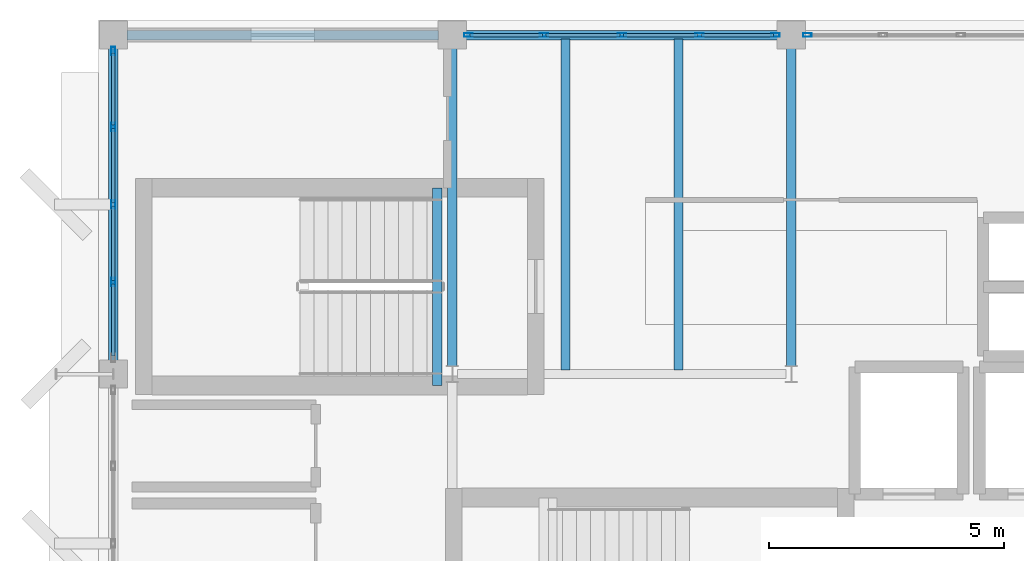
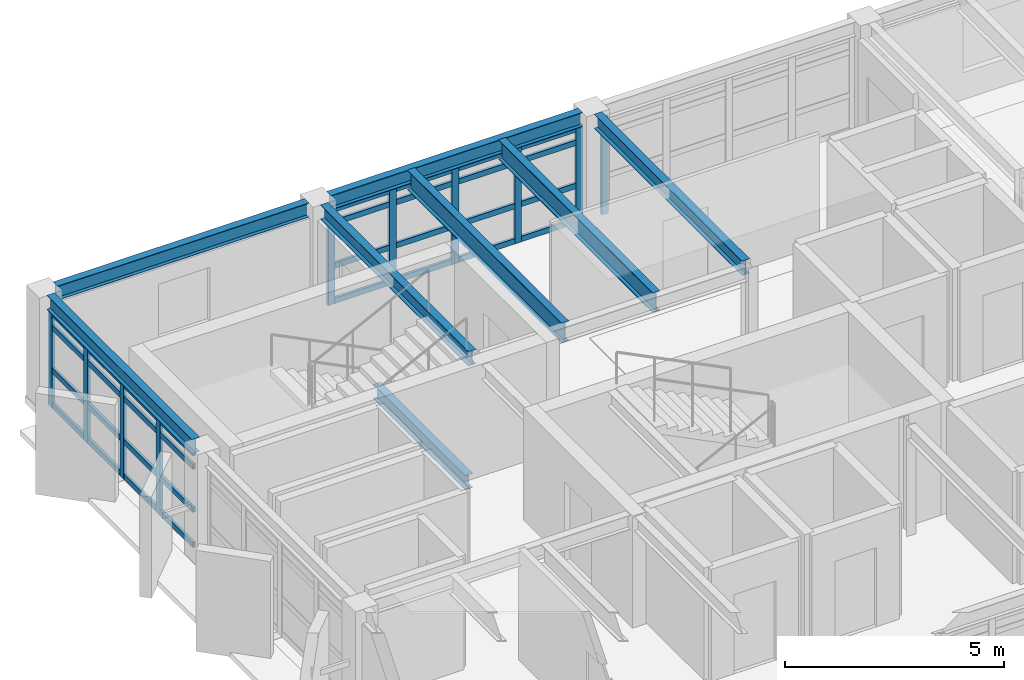
# One storey, part 7 of 15: 42 members, 8 beams, 3 elements without a shape of their own.
"""IFC4 building model written with IfcOpenShell, lengths in metres."""

from ifc_helpers import new_model, si_unit, direction, frame, origin, origin_2d, place, context, subcontext, project, spatial, hollow_rectangle, i_section, extrude, material, layer, layer_set, material_profile, profile_set, type_object, element, aggregate, save


model = new_model("IFC4")

# Units and contexts
model_context = context("Model", 3, precision=1e-05, world=origin(), true_north=direction((0.0, 1.0)))
body_context = subcontext(model_context, "Body", "Model", "MODEL_VIEW")
ifc_project = project(units=[si_unit("LENGTHUNIT", "METRE"), si_unit("AREAUNIT", "SQUARE_METRE"), si_unit("VOLUMEUNIT", "CUBIC_METRE"), si_unit("PLANEANGLEUNIT", "RADIAN"), si_unit("MASSUNIT", "GRAM", prefix="KILO")], contexts=[model_context])

# Site, building, storey
site_placement = place(None, origin())
site = spatial("IfcSite", under=ifc_project, at=site_placement, CompositionType="ELEMENT")
building_placement = place(site_placement, origin())
building = spatial("IfcBuilding", under=site, at=building_placement, Name="Kandorven Conservatory and Botanical Research Centre", CompositionType="ELEMENT")
storey_placement = place(building_placement, frame((0.0, 0.0, 56.10009765625)))
storey = spatial("IfcBuildingStorey", under=building, at=storey_placement, Name="L14", CompositionType="ELEMENT", Elevation=56.10009765625)

# Beams
ifc_material_1 = material(Name="Steel S355 (IS 2062 E350)", Category="steel")
ifc_material_profile_1 = material_profile(ifc_material_1, i_section(OverallWidth=0.199951171875, OverallDepth=0.39990234375, WebThickness=0.008544921875, FlangeThickness=0.012939453125, at=origin_2d()))
ifc_profile_set_1 = profile_set([ifc_material_profile_1], Name="Steel S355 (IS 2062 E350)")
beam_type_1 = type_object("IfcBeamType", Name="Beam_FG-03", PredefinedType="USERDEFINED", material=ifc_profile_set_1)
beam_1_placement = place(storey_placement, frame((6.2900390625, 27.60009765625, 2.887939453125), z_axis=(1.0, 0.0, 0.0), x_axis=(0.0, 1.0, 0.0)))
element("IfcBeam", 1, at=beam_1_placement, inside=storey, type_object=beam_type_1, Name="Primary girder FG-03 TWR L14", ObjectType="GIRDER", PredefinedType="USERDEFINED", context=body_context, shape_type="SweptSolid", body=[
    extrude(i_section(OverallWidth=0.199951171875, OverallDepth=0.39990234375, WebThickness=0.008544921875, FlangeThickness=0.012939453125, at=origin_2d()), origin(), (0.0, 0.0, 1.0), 6.619873046875),
])
for number, where, z_axis, x_axis, name in (
    (2, (13.489990234375, 27.60009765625, 2.887939453125), (1.0, 0.0, 0.0), (0.0, 1.0, 0.0), "Primary girder FG-03 TWR L14"),
    (3, (6.0, 20.68994140625, 2.887939453125), (0.0, 1.0, 0.0), (-1.0, 0.0, 0.0), "Primary girder FG-03 TWR L14"),
):
    element("IfcBeam", number, at=place(storey_placement, frame(where, z_axis=z_axis, x_axis=x_axis)), inside=storey, type_object=beam_type_1, Name=name, ObjectType="GIRDER", PredefinedType="USERDEFINED", context=body_context, shape_type="SweptSolid", body=[
        extrude(i_section(OverallWidth=0.199951171875, OverallDepth=0.39990234375, WebThickness=0.008544921875, FlangeThickness=0.012939453125, at=origin_2d()), origin(), (0.0, 0.0, 1.0), 6.6201171875),
    ])
for number, where, z_axis, x_axis, name in (
    (4, (13.199951171875, 20.56494140625, 2.887939453125), (0.0, 1.0, 0.0), (-1.0, 0.0, 0.0), "Primary girder FG-03 TWR L14"),
    (5, (20.39990234375, 20.56494140625, 2.887939453125), (0.0, 1.0, 0.0), (-1.0, 0.0, 0.0), "Primary girder FG-03 TWR L14"),
):
    element("IfcBeam", number, at=place(storey_placement, frame(where, z_axis=z_axis, x_axis=x_axis)), inside=storey, type_object=beam_type_1, Name=name, ObjectType="GIRDER", PredefinedType="USERDEFINED", context=body_context, shape_type="SweptSolid", body=[
        extrude(i_section(OverallWidth=0.199951171875, OverallDepth=0.39990234375, WebThickness=0.008544921875, FlangeThickness=0.012939453125, at=origin_2d()), origin(), (0.0, 0.0, 1.0), 6.7451171875),
    ])
beam_2_placement = place(storey_placement, frame((12.8798828125, 24.35009765625, -0.2001953125), z_axis=(0.0, -1.0, 0.0), x_axis=(1.0, 0.0, 0.0)))
element("IfcBeam", 6, at=beam_2_placement, inside=storey, type_object=beam_type_1, Name="Stair well bottom trimmer girder FG-03 ST-T2 L14", ObjectType="GIRDER", PredefinedType="USERDEFINED", context=body_context, shape_type="SweptSolid", body=[
    extrude(i_section(OverallWidth=0.199951171875, OverallDepth=0.39990234375, WebThickness=0.008544921875, FlangeThickness=0.012939453125, at=origin_2d()), origin(), (0.0, 0.0, 1.0), 4.190185546875),
])
ifc_material_2 = material(Name="Steel S355 (IS 2062 E350)", Category="steel")
ifc_material_profile_2 = material_profile(ifc_material_2, i_section(OverallWidth=0.18994140625, OverallDepth=0.550048828125, WebThickness=0.01123046875, FlangeThickness=0.019287109375, at=origin_2d()))
ifc_profile_set_2 = profile_set([ifc_material_profile_2], Name="Steel S355 (IS 2062 E350)")
beam_type_2 = type_object("IfcBeamType", Name="Beam_SB-02", PredefinedType="BEAM", material=ifc_profile_set_2)
for number, where, z_axis, x_axis, name in (
    (7, (15.60009765625, 20.485107421875, 2.81298828125), (0.0, 1.0, 0.0), (-1.0, 0.0, 0.0), "Composite secondary beam SB-02 TWR L14"),
    (8, (18.0, 20.485107421875, 2.81298828125), (0.0, 1.0, 0.0), (-1.0, 0.0, 0.0), "Composite secondary beam SB-02 TWR L14"),
):
    element("IfcBeam", number, at=place(storey_placement, frame(where, z_axis=z_axis, x_axis=x_axis)), inside=storey, type_object=beam_type_2, Name=name, PredefinedType="BEAM", context=body_context, shape_type="SweptSolid", body=[
        extrude(i_section(OverallWidth=0.18994140625, OverallDepth=0.550048828125, WebThickness=0.01123046875, FlangeThickness=0.019287109375, at=origin_2d()), origin(), (0.0, 0.0, 1.0), 7.02978515625),
    ])

# Curtain wall, members
ifc_material_3 = material(Name="Bronze anodised thermally broken aluminium", Category="aluminium")
ifc_layer = layer(ifc_material_3, 0.179931640625)
ifc_layer_set = layer_set([ifc_layer], Name="Bronze anodised thermally broken aluminium")
curtain_wall_type = type_object("IfcCurtainWallType", Name="CW_Unitised", PredefinedType="USERDEFINED", material=ifc_layer_set)
curtain_wall_1_placement = place(storey_placement, origin())
curtain_wall_1 = element("IfcCurtainWall", 9, at=curtain_wall_1_placement, inside=storey, type_object=curtain_wall_type, Name="Tower laboratory curtain wall CW-TWR-N-L14-2", ObjectType="UNITISED GLAZING", PredefinedType="USERDEFINED")
ifc_material_4 = material(Name="Bronze anodised thermally broken aluminium", Category="aluminium")
ifc_material_profile_3 = material_profile(ifc_material_4, hollow_rectangle(XDim=0.080078125, YDim=0.179931640625, WallThickness=0.006103515625, at=origin_2d()))
ifc_profile_set_3 = profile_set([ifc_material_profile_3], Name="Bronze anodised thermally broken aluminium")
member_type_1 = type_object("IfcMemberType", Name="CW_Mullion", PredefinedType="MULLION", material=ifc_profile_set_3)
member_1_placement = place(storey_placement, frame((13.5400390625, 27.60009765625, 0.0), z_axis=(0.0, 0.0, 1.0), x_axis=(0.0, 1.0, 0.0)))
member_1 = element("IfcMember", 10, at=member_1_placement, type_object=member_type_1, Name="CW-01 mullion 1", PredefinedType="MULLION", context=body_context, shape_type="SweptSolid", body=[
    extrude(hollow_rectangle(XDim=0.080078125, YDim=0.179931640625, WallThickness=0.006103515625, at=origin_2d()), origin(), (0.0, 0.0, 1.0), 2.69482421875),
])
member_2_placement = place(storey_placement, frame((15.14990234375, 27.60009765625, 0.0), z_axis=(0.0, 0.0, 1.0), x_axis=(0.0, 1.0, 0.0)))
member_2 = element("IfcMember", 11, at=member_2_placement, type_object=member_type_1, Name="CW-01 mullion 2", PredefinedType="MULLION", context=body_context, shape_type="SweptSolid", body=[
    extrude(hollow_rectangle(XDim=0.080078125, YDim=0.179931640625, WallThickness=0.006103515625, at=origin_2d()), origin(), (0.0, 0.0, 1.0), 2.69482421875),
])
member_3_placement = place(storey_placement, frame((16.800048828125, 27.60009765625, 0.0), z_axis=(0.0, 0.0, 1.0), x_axis=(0.0, 1.0, 0.0)))
member_3 = element("IfcMember", 12, at=member_3_placement, type_object=member_type_1, Name="CW-01 mullion 3", PredefinedType="MULLION", context=body_context, shape_type="SweptSolid", body=[
    extrude(hollow_rectangle(XDim=0.080078125, YDim=0.179931640625, WallThickness=0.006103515625, at=origin_2d()), origin(), (0.0, 0.0, 1.0), 2.69482421875),
])
member_4_placement = place(storey_placement, frame((18.449951171875, 27.60009765625, 0.0), z_axis=(0.0, 0.0, 1.0), x_axis=(0.0, 1.0, 0.0)))
member_4 = element("IfcMember", 13, at=member_4_placement, type_object=member_type_1, Name="CW-01 mullion 4", PredefinedType="MULLION", context=body_context, shape_type="SweptSolid", body=[
    extrude(hollow_rectangle(XDim=0.080078125, YDim=0.179931640625, WallThickness=0.006103515625, at=origin_2d()), origin(), (0.0, 0.0, 1.0), 2.69482421875),
])
member_5_placement = place(storey_placement, frame((20.06005859375, 27.60009765625, 0.0), z_axis=(0.0, 0.0, 1.0), x_axis=(0.0, 1.0, 0.0)))
member_5 = element("IfcMember", 14, at=member_5_placement, type_object=member_type_1, Name="CW-01 mullion 5", PredefinedType="MULLION", context=body_context, shape_type="SweptSolid", body=[
    extrude(hollow_rectangle(XDim=0.080078125, YDim=0.179931640625, WallThickness=0.006103515625, at=origin_2d()), origin(), (0.0, 0.0, 1.0), 2.69482421875),
])

# Curtain wall, member
curtain_wall_2_placement = place(storey_placement, origin())
curtain_wall_2 = element("IfcCurtainWall", 15, at=curtain_wall_2_placement, inside=storey, type_object=curtain_wall_type, Name="Tower laboratory curtain wall CW-TWR-N-L14-3", ObjectType="UNITISED GLAZING", PredefinedType="USERDEFINED")
member_6_placement = place(storey_placement, frame((20.739990234375, 27.60009765625, 0.0), z_axis=(0.0, 0.0, 1.0), x_axis=(0.0, 1.0, 0.0)))
member_6 = element("IfcMember", 16, at=member_6_placement, type_object=member_type_1, Name="CW-01 mullion 1", PredefinedType="MULLION", context=body_context, shape_type="SweptSolid", body=[
    extrude(hollow_rectangle(XDim=0.080078125, YDim=0.179931640625, WallThickness=0.006103515625, at=origin_2d()), origin(), (0.0, 0.0, 1.0), 2.69482421875),
])
aggregate(curtain_wall_2, [member_6])

# Curtain wall, members
curtain_wall_3_placement = place(storey_placement, origin())
curtain_wall_3 = element("IfcCurtainWall", 17, at=curtain_wall_3_placement, inside=storey, type_object=curtain_wall_type, Name="Tower laboratory curtain wall CW-TWR-W-L14-3", ObjectType="UNITISED GLAZING", PredefinedType="USERDEFINED")
member_7_placement = place(storey_placement, frame((6.0, 22.35009765625, 0.0), z_axis=(0.0, 0.0, 1.0), x_axis=(-1.0, 0.0, 0.0)))
member_7 = element("IfcMember", 18, at=member_7_placement, type_object=member_type_1, Name="CW-01 mullion 2", PredefinedType="MULLION", context=body_context, shape_type="SweptSolid", body=[
    extrude(hollow_rectangle(XDim=0.080078125, YDim=0.179931640625, WallThickness=0.006103515625, at=origin_2d()), origin(), (0.0, 0.0, 1.0), 2.69482421875),
])
member_8_placement = place(storey_placement, frame((6.0, 24.0, 0.0), z_axis=(0.0, 0.0, 1.0), x_axis=(-1.0, 0.0, 0.0)))
member_8 = element("IfcMember", 19, at=member_8_placement, type_object=member_type_1, Name="CW-01 mullion 3", PredefinedType="MULLION", context=body_context, shape_type="SweptSolid", body=[
    extrude(hollow_rectangle(XDim=0.080078125, YDim=0.179931640625, WallThickness=0.006103515625, at=origin_2d()), origin(), (0.0, 0.0, 1.0), 2.69482421875),
])
member_9_placement = place(storey_placement, frame((6.0, 25.64990234375, 0.0), z_axis=(0.0, 0.0, 1.0), x_axis=(-1.0, 0.0, 0.0)))
member_9 = element("IfcMember", 20, at=member_9_placement, type_object=member_type_1, Name="CW-01 mullion 4", PredefinedType="MULLION", context=body_context, shape_type="SweptSolid", body=[
    extrude(hollow_rectangle(XDim=0.080078125, YDim=0.179931640625, WallThickness=0.006103515625, at=origin_2d()), origin(), (0.0, 0.0, 1.0), 2.69482421875),
])
member_10_placement = place(storey_placement, frame((6.0, 27.260009765625, 0.0), z_axis=(0.0, 0.0, 1.0), x_axis=(-1.0, 0.0, 0.0)))
member_10 = element("IfcMember", 21, at=member_10_placement, type_object=member_type_1, Name="CW-01 mullion 5", PredefinedType="MULLION", context=body_context, shape_type="SweptSolid", body=[
    extrude(hollow_rectangle(XDim=0.080078125, YDim=0.179931640625, WallThickness=0.006103515625, at=origin_2d()), origin(), (0.0, 0.0, 1.0), 2.69482421875),
])

# Member
ifc_material_5 = material(Name="Bronze anodised thermally broken aluminium", Category="aluminium")
ifc_material_profile_4 = material_profile(ifc_material_5, hollow_rectangle(XDim=0.074951171875, YDim=0.14990234375, WallThickness=0.006103515625, at=origin_2d()))
ifc_profile_set_4 = profile_set([ifc_material_profile_4], Name="Bronze anodised thermally broken aluminium")
member_type_2 = type_object("IfcMemberType", Name="CW_Transom", PredefinedType="USERDEFINED", material=ifc_profile_set_4)
member_11_placement = place(storey_placement, frame((13.580078125, 27.60009765625, 0.074951171875), z_axis=(1.0, 0.0, 0.0), x_axis=(0.0, 1.0, 0.0)))
member_11 = element("IfcMember", 22, at=member_11_placement, type_object=member_type_2, Name="CW-01 transom 1.1", ObjectType="TRANSOM", PredefinedType="USERDEFINED", context=body_context, shape_type="SweptSolid", body=[
    extrude(hollow_rectangle(XDim=0.074951171875, YDim=0.14990234375, WallThickness=0.006103515625, at=origin_2d()), origin(), (0.0, 0.0, 1.0), 1.530029296875),
])

member_12_placement = place(storey_placement, frame((13.580078125, 27.60009765625, 1.0498046875), z_axis=(1.0, 0.0, 0.0), x_axis=(0.0, 1.0, 0.0)))
member_12 = element("IfcMember", 23, at=member_12_placement, type_object=member_type_2, Name="CW-01 transom 1.2", ObjectType="TRANSOM", PredefinedType="USERDEFINED", context=body_context, shape_type="SweptSolid", body=[
    extrude(hollow_rectangle(XDim=0.074951171875, YDim=0.14990234375, WallThickness=0.006103515625, at=origin_2d()), origin(), (0.0, 0.0, 1.0), 1.530029296875),
])

member_13_placement = place(storey_placement, frame((13.580078125, 27.60009765625, 2.25), z_axis=(1.0, 0.0, 0.0), x_axis=(0.0, 1.0, 0.0)))
member_13 = element("IfcMember", 24, at=member_13_placement, type_object=member_type_2, Name="CW-01 transom 1.3", ObjectType="TRANSOM", PredefinedType="USERDEFINED", context=body_context, shape_type="SweptSolid", body=[
    extrude(hollow_rectangle(XDim=0.074951171875, YDim=0.14990234375, WallThickness=0.006103515625, at=origin_2d()), origin(), (0.0, 0.0, 1.0), 1.530029296875),
])

member_14_placement = place(storey_placement, frame((13.580078125, 27.60009765625, 2.619873046875), z_axis=(1.0, 0.0, 0.0), x_axis=(0.0, 1.0, 0.0)))
member_14 = element("IfcMember", 25, at=member_14_placement, type_object=member_type_2, Name="CW-01 transom 1.4", ObjectType="TRANSOM", PredefinedType="USERDEFINED", context=body_context, shape_type="SweptSolid", body=[
    extrude(hollow_rectangle(XDim=0.074951171875, YDim=0.14990234375, WallThickness=0.006103515625, at=origin_2d()), origin(), (0.0, 0.0, 1.0), 1.530029296875),
])

member_15_placement = place(storey_placement, frame((15.18994140625, 27.60009765625, 0.074951171875), z_axis=(1.0, 0.0, 0.0), x_axis=(0.0, 1.0, 0.0)))
member_15 = element("IfcMember", 26, at=member_15_placement, type_object=member_type_2, Name="CW-01 transom 2.1", ObjectType="TRANSOM", PredefinedType="USERDEFINED", context=body_context, shape_type="SweptSolid", body=[
    extrude(hollow_rectangle(XDim=0.074951171875, YDim=0.14990234375, WallThickness=0.006103515625, at=origin_2d()), origin(), (0.0, 0.0, 1.0), 1.570068359375),
])

member_16_placement = place(storey_placement, frame((15.18994140625, 27.60009765625, 1.0498046875), z_axis=(1.0, 0.0, 0.0), x_axis=(0.0, 1.0, 0.0)))
member_16 = element("IfcMember", 27, at=member_16_placement, type_object=member_type_2, Name="CW-01 transom 2.2", ObjectType="TRANSOM", PredefinedType="USERDEFINED", context=body_context, shape_type="SweptSolid", body=[
    extrude(hollow_rectangle(XDim=0.074951171875, YDim=0.14990234375, WallThickness=0.006103515625, at=origin_2d()), origin(), (0.0, 0.0, 1.0), 1.570068359375),
])

member_17_placement = place(storey_placement, frame((15.18994140625, 27.60009765625, 2.25), z_axis=(1.0, 0.0, 0.0), x_axis=(0.0, 1.0, 0.0)))
member_17 = element("IfcMember", 28, at=member_17_placement, type_object=member_type_2, Name="CW-01 transom 2.3", ObjectType="TRANSOM", PredefinedType="USERDEFINED", context=body_context, shape_type="SweptSolid", body=[
    extrude(hollow_rectangle(XDim=0.074951171875, YDim=0.14990234375, WallThickness=0.006103515625, at=origin_2d()), origin(), (0.0, 0.0, 1.0), 1.570068359375),
])

member_18_placement = place(storey_placement, frame((15.18994140625, 27.60009765625, 2.619873046875), z_axis=(1.0, 0.0, 0.0), x_axis=(0.0, 1.0, 0.0)))
member_18 = element("IfcMember", 29, at=member_18_placement, type_object=member_type_2, Name="CW-01 transom 2.4", ObjectType="TRANSOM", PredefinedType="USERDEFINED", context=body_context, shape_type="SweptSolid", body=[
    extrude(hollow_rectangle(XDim=0.074951171875, YDim=0.14990234375, WallThickness=0.006103515625, at=origin_2d()), origin(), (0.0, 0.0, 1.0), 1.570068359375),
])

member_19_placement = place(storey_placement, frame((16.840087890625, 27.60009765625, 0.074951171875), z_axis=(1.0, 0.0, 0.0), x_axis=(0.0, 1.0, 0.0)))
member_19 = element("IfcMember", 30, at=member_19_placement, type_object=member_type_2, Name="CW-01 transom 3.1", ObjectType="TRANSOM", PredefinedType="USERDEFINED", context=body_context, shape_type="SweptSolid", body=[
    extrude(hollow_rectangle(XDim=0.074951171875, YDim=0.14990234375, WallThickness=0.006103515625, at=origin_2d()), origin(), (0.0, 0.0, 1.0), 1.56982421875),
])

member_20_placement = place(storey_placement, frame((16.840087890625, 27.60009765625, 1.0498046875), z_axis=(1.0, 0.0, 0.0), x_axis=(0.0, 1.0, 0.0)))
member_20 = element("IfcMember", 31, at=member_20_placement, type_object=member_type_2, Name="CW-01 transom 3.2", ObjectType="TRANSOM", PredefinedType="USERDEFINED", context=body_context, shape_type="SweptSolid", body=[
    extrude(hollow_rectangle(XDim=0.074951171875, YDim=0.14990234375, WallThickness=0.006103515625, at=origin_2d()), origin(), (0.0, 0.0, 1.0), 1.56982421875),
])

member_21_placement = place(storey_placement, frame((16.840087890625, 27.60009765625, 2.25), z_axis=(1.0, 0.0, 0.0), x_axis=(0.0, 1.0, 0.0)))
member_21 = element("IfcMember", 32, at=member_21_placement, type_object=member_type_2, Name="CW-01 transom 3.3", ObjectType="TRANSOM", PredefinedType="USERDEFINED", context=body_context, shape_type="SweptSolid", body=[
    extrude(hollow_rectangle(XDim=0.074951171875, YDim=0.14990234375, WallThickness=0.006103515625, at=origin_2d()), origin(), (0.0, 0.0, 1.0), 1.56982421875),
])

member_22_placement = place(storey_placement, frame((16.840087890625, 27.60009765625, 2.619873046875), z_axis=(1.0, 0.0, 0.0), x_axis=(0.0, 1.0, 0.0)))
member_22 = element("IfcMember", 33, at=member_22_placement, type_object=member_type_2, Name="CW-01 transom 3.4", ObjectType="TRANSOM", PredefinedType="USERDEFINED", context=body_context, shape_type="SweptSolid", body=[
    extrude(hollow_rectangle(XDim=0.074951171875, YDim=0.14990234375, WallThickness=0.006103515625, at=origin_2d()), origin(), (0.0, 0.0, 1.0), 1.56982421875),
])

member_23_placement = place(storey_placement, frame((18.489990234375, 27.60009765625, 0.074951171875), z_axis=(1.0, 0.0, 0.0), x_axis=(0.0, 1.0, 0.0)))
member_23 = element("IfcMember", 34, at=member_23_placement, type_object=member_type_2, Name="CW-01 transom 4.1", ObjectType="TRANSOM", PredefinedType="USERDEFINED", context=body_context, shape_type="SweptSolid", body=[
    extrude(hollow_rectangle(XDim=0.074951171875, YDim=0.14990234375, WallThickness=0.006103515625, at=origin_2d()), origin(), (0.0, 0.0, 1.0), 1.530029296875),
])

member_24_placement = place(storey_placement, frame((18.489990234375, 27.60009765625, 1.0498046875), z_axis=(1.0, 0.0, 0.0), x_axis=(0.0, 1.0, 0.0)))
member_24 = element("IfcMember", 35, at=member_24_placement, type_object=member_type_2, Name="CW-01 transom 4.2", ObjectType="TRANSOM", PredefinedType="USERDEFINED", context=body_context, shape_type="SweptSolid", body=[
    extrude(hollow_rectangle(XDim=0.074951171875, YDim=0.14990234375, WallThickness=0.006103515625, at=origin_2d()), origin(), (0.0, 0.0, 1.0), 1.530029296875),
])

member_25_placement = place(storey_placement, frame((18.489990234375, 27.60009765625, 2.25), z_axis=(1.0, 0.0, 0.0), x_axis=(0.0, 1.0, 0.0)))
member_25 = element("IfcMember", 36, at=member_25_placement, type_object=member_type_2, Name="CW-01 transom 4.3", ObjectType="TRANSOM", PredefinedType="USERDEFINED", context=body_context, shape_type="SweptSolid", body=[
    extrude(hollow_rectangle(XDim=0.074951171875, YDim=0.14990234375, WallThickness=0.006103515625, at=origin_2d()), origin(), (0.0, 0.0, 1.0), 1.530029296875),
])

member_26_placement = place(storey_placement, frame((18.489990234375, 27.60009765625, 2.619873046875), z_axis=(1.0, 0.0, 0.0), x_axis=(0.0, 1.0, 0.0)))
member_26 = element("IfcMember", 37, at=member_26_placement, type_object=member_type_2, Name="CW-01 transom 4.4", ObjectType="TRANSOM", PredefinedType="USERDEFINED", context=body_context, shape_type="SweptSolid", body=[
    extrude(hollow_rectangle(XDim=0.074951171875, YDim=0.14990234375, WallThickness=0.006103515625, at=origin_2d()), origin(), (0.0, 0.0, 1.0), 1.530029296875),
])

aggregate(curtain_wall_1, [member_1, member_2, member_3, member_4, member_5, member_11, member_12, member_13, member_14, member_15, member_16, member_17, member_18, member_19, member_20, member_21, member_22, member_23, member_24, member_25, member_26])

member_27_placement = place(storey_placement, frame((6.0, 20.780029296875, 0.074951171875), z_axis=(0.0, 1.0, 0.0), x_axis=(-1.0, 0.0, 0.0)))
member_27 = element("IfcMember", 38, at=member_27_placement, type_object=member_type_2, Name="CW-01 transom 1.1", ObjectType="TRANSOM", PredefinedType="USERDEFINED", context=body_context, shape_type="SweptSolid", body=[
    extrude(hollow_rectangle(XDim=0.074951171875, YDim=0.14990234375, WallThickness=0.006103515625, at=origin_2d()), origin(), (0.0, 0.0, 1.0), 1.530029296875),
])

member_28_placement = place(storey_placement, frame((6.0, 20.780029296875, 1.0498046875), z_axis=(0.0, 1.0, 0.0), x_axis=(-1.0, 0.0, 0.0)))
member_28 = element("IfcMember", 39, at=member_28_placement, type_object=member_type_2, Name="CW-01 transom 1.2", ObjectType="TRANSOM", PredefinedType="USERDEFINED", context=body_context, shape_type="SweptSolid", body=[
    extrude(hollow_rectangle(XDim=0.074951171875, YDim=0.14990234375, WallThickness=0.006103515625, at=origin_2d()), origin(), (0.0, 0.0, 1.0), 1.530029296875),
])

member_29_placement = place(storey_placement, frame((6.0, 20.780029296875, 2.25), z_axis=(0.0, 1.0, 0.0), x_axis=(-1.0, 0.0, 0.0)))
member_29 = element("IfcMember", 40, at=member_29_placement, type_object=member_type_2, Name="CW-01 transom 1.3", ObjectType="TRANSOM", PredefinedType="USERDEFINED", context=body_context, shape_type="SweptSolid", body=[
    extrude(hollow_rectangle(XDim=0.074951171875, YDim=0.14990234375, WallThickness=0.006103515625, at=origin_2d()), origin(), (0.0, 0.0, 1.0), 1.530029296875),
])

member_30_placement = place(storey_placement, frame((6.0, 20.780029296875, 2.619873046875), z_axis=(0.0, 1.0, 0.0), x_axis=(-1.0, 0.0, 0.0)))
member_30 = element("IfcMember", 41, at=member_30_placement, type_object=member_type_2, Name="CW-01 transom 1.4", ObjectType="TRANSOM", PredefinedType="USERDEFINED", context=body_context, shape_type="SweptSolid", body=[
    extrude(hollow_rectangle(XDim=0.074951171875, YDim=0.14990234375, WallThickness=0.006103515625, at=origin_2d()), origin(), (0.0, 0.0, 1.0), 1.530029296875),
])

member_31_placement = place(storey_placement, frame((6.0, 22.389892578125, 0.074951171875), z_axis=(0.0, 1.0, 0.0), x_axis=(-1.0, 0.0, 0.0)))
member_31 = element("IfcMember", 42, at=member_31_placement, type_object=member_type_2, Name="CW-01 transom 2.1", ObjectType="TRANSOM", PredefinedType="USERDEFINED", context=body_context, shape_type="SweptSolid", body=[
    extrude(hollow_rectangle(XDim=0.074951171875, YDim=0.14990234375, WallThickness=0.006103515625, at=origin_2d()), origin(), (0.0, 0.0, 1.0), 1.570068359375),
])

member_32_placement = place(storey_placement, frame((6.0, 22.389892578125, 1.0498046875), z_axis=(0.0, 1.0, 0.0), x_axis=(-1.0, 0.0, 0.0)))
member_32 = element("IfcMember", 43, at=member_32_placement, type_object=member_type_2, Name="CW-01 transom 2.2", ObjectType="TRANSOM", PredefinedType="USERDEFINED", context=body_context, shape_type="SweptSolid", body=[
    extrude(hollow_rectangle(XDim=0.074951171875, YDim=0.14990234375, WallThickness=0.006103515625, at=origin_2d()), origin(), (0.0, 0.0, 1.0), 1.570068359375),
])

member_33_placement = place(storey_placement, frame((6.0, 22.389892578125, 2.25), z_axis=(0.0, 1.0, 0.0), x_axis=(-1.0, 0.0, 0.0)))
member_33 = element("IfcMember", 44, at=member_33_placement, type_object=member_type_2, Name="CW-01 transom 2.3", ObjectType="TRANSOM", PredefinedType="USERDEFINED", context=body_context, shape_type="SweptSolid", body=[
    extrude(hollow_rectangle(XDim=0.074951171875, YDim=0.14990234375, WallThickness=0.006103515625, at=origin_2d()), origin(), (0.0, 0.0, 1.0), 1.570068359375),
])

member_34_placement = place(storey_placement, frame((6.0, 22.389892578125, 2.619873046875), z_axis=(0.0, 1.0, 0.0), x_axis=(-1.0, 0.0, 0.0)))
member_34 = element("IfcMember", 45, at=member_34_placement, type_object=member_type_2, Name="CW-01 transom 2.4", ObjectType="TRANSOM", PredefinedType="USERDEFINED", context=body_context, shape_type="SweptSolid", body=[
    extrude(hollow_rectangle(XDim=0.074951171875, YDim=0.14990234375, WallThickness=0.006103515625, at=origin_2d()), origin(), (0.0, 0.0, 1.0), 1.570068359375),
])

member_35_placement = place(storey_placement, frame((6.0, 24.0400390625, 0.074951171875), z_axis=(0.0, 1.0, 0.0), x_axis=(-1.0, 0.0, 0.0)))
member_35 = element("IfcMember", 46, at=member_35_placement, type_object=member_type_2, Name="CW-01 transom 3.1", ObjectType="TRANSOM", PredefinedType="USERDEFINED", context=body_context, shape_type="SweptSolid", body=[
    extrude(hollow_rectangle(XDim=0.074951171875, YDim=0.14990234375, WallThickness=0.006103515625, at=origin_2d()), origin(), (0.0, 0.0, 1.0), 1.570068359375),
])

member_36_placement = place(storey_placement, frame((6.0, 24.0400390625, 1.0498046875), z_axis=(0.0, 1.0, 0.0), x_axis=(-1.0, 0.0, 0.0)))
member_36 = element("IfcMember", 47, at=member_36_placement, type_object=member_type_2, Name="CW-01 transom 3.2", ObjectType="TRANSOM", PredefinedType="USERDEFINED", context=body_context, shape_type="SweptSolid", body=[
    extrude(hollow_rectangle(XDim=0.074951171875, YDim=0.14990234375, WallThickness=0.006103515625, at=origin_2d()), origin(), (0.0, 0.0, 1.0), 1.570068359375),
])

member_37_placement = place(storey_placement, frame((6.0, 24.0400390625, 2.25), z_axis=(0.0, 1.0, 0.0), x_axis=(-1.0, 0.0, 0.0)))
member_37 = element("IfcMember", 48, at=member_37_placement, type_object=member_type_2, Name="CW-01 transom 3.3", ObjectType="TRANSOM", PredefinedType="USERDEFINED", context=body_context, shape_type="SweptSolid", body=[
    extrude(hollow_rectangle(XDim=0.074951171875, YDim=0.14990234375, WallThickness=0.006103515625, at=origin_2d()), origin(), (0.0, 0.0, 1.0), 1.570068359375),
])

member_38_placement = place(storey_placement, frame((6.0, 24.0400390625, 2.619873046875), z_axis=(0.0, 1.0, 0.0), x_axis=(-1.0, 0.0, 0.0)))
member_38 = element("IfcMember", 49, at=member_38_placement, type_object=member_type_2, Name="CW-01 transom 3.4", ObjectType="TRANSOM", PredefinedType="USERDEFINED", context=body_context, shape_type="SweptSolid", body=[
    extrude(hollow_rectangle(XDim=0.074951171875, YDim=0.14990234375, WallThickness=0.006103515625, at=origin_2d()), origin(), (0.0, 0.0, 1.0), 1.570068359375),
])

member_39_placement = place(storey_placement, frame((6.0, 25.68994140625, 0.074951171875), z_axis=(0.0, 1.0, 0.0), x_axis=(-1.0, 0.0, 0.0)))
member_39 = element("IfcMember", 50, at=member_39_placement, type_object=member_type_2, Name="CW-01 transom 4.1", ObjectType="TRANSOM", PredefinedType="USERDEFINED", context=body_context, shape_type="SweptSolid", body=[
    extrude(hollow_rectangle(XDim=0.074951171875, YDim=0.14990234375, WallThickness=0.006103515625, at=origin_2d()), origin(), (0.0, 0.0, 1.0), 1.530029296875),
])

member_40_placement = place(storey_placement, frame((6.0, 25.68994140625, 1.0498046875), z_axis=(0.0, 1.0, 0.0), x_axis=(-1.0, 0.0, 0.0)))
member_40 = element("IfcMember", 51, at=member_40_placement, type_object=member_type_2, Name="CW-01 transom 4.2", ObjectType="TRANSOM", PredefinedType="USERDEFINED", context=body_context, shape_type="SweptSolid", body=[
    extrude(hollow_rectangle(XDim=0.074951171875, YDim=0.14990234375, WallThickness=0.006103515625, at=origin_2d()), origin(), (0.0, 0.0, 1.0), 1.530029296875),
])

member_41_placement = place(storey_placement, frame((6.0, 25.68994140625, 2.25), z_axis=(0.0, 1.0, 0.0), x_axis=(-1.0, 0.0, 0.0)))
member_41 = element("IfcMember", 52, at=member_41_placement, type_object=member_type_2, Name="CW-01 transom 4.3", ObjectType="TRANSOM", PredefinedType="USERDEFINED", context=body_context, shape_type="SweptSolid", body=[
    extrude(hollow_rectangle(XDim=0.074951171875, YDim=0.14990234375, WallThickness=0.006103515625, at=origin_2d()), origin(), (0.0, 0.0, 1.0), 1.530029296875),
])

member_42_placement = place(storey_placement, frame((6.0, 25.68994140625, 2.619873046875), z_axis=(0.0, 1.0, 0.0), x_axis=(-1.0, 0.0, 0.0)))
member_42 = element("IfcMember", 53, at=member_42_placement, type_object=member_type_2, Name="CW-01 transom 4.4", ObjectType="TRANSOM", PredefinedType="USERDEFINED", context=body_context, shape_type="SweptSolid", body=[
    extrude(hollow_rectangle(XDim=0.074951171875, YDim=0.14990234375, WallThickness=0.006103515625, at=origin_2d()), origin(), (0.0, 0.0, 1.0), 1.530029296875),
])

aggregate(curtain_wall_3, [member_7, member_8, member_9, member_10, member_27, member_28, member_29, member_30, member_31, member_32, member_33, member_34, member_35, member_36, member_37, member_38, member_39, member_40, member_41, member_42])

save(model, "model.ifc")
